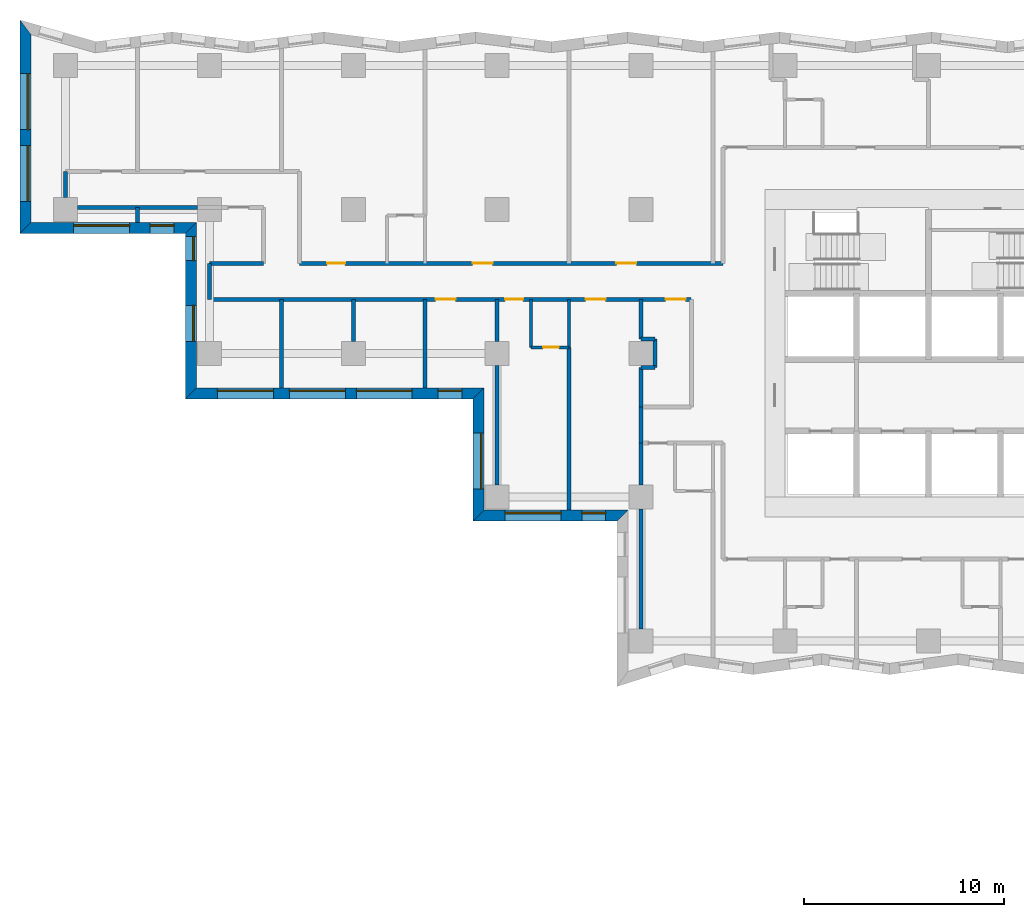
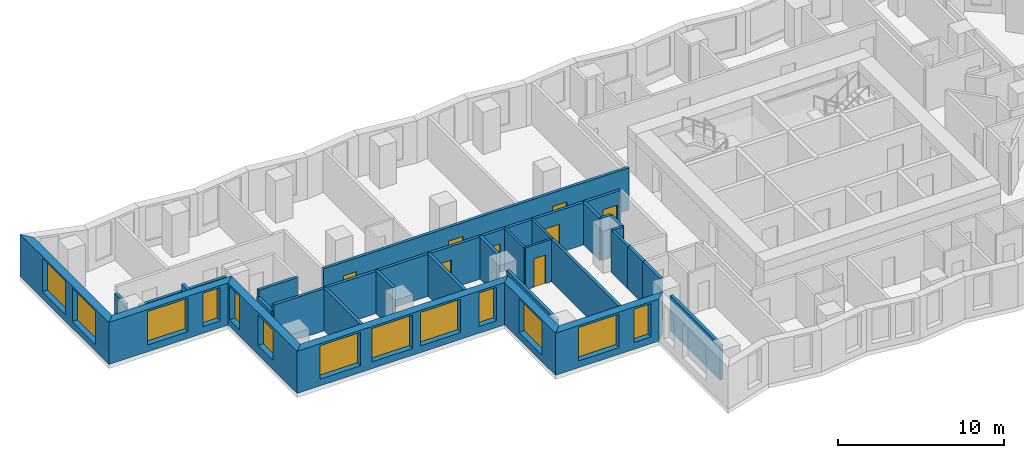
# One storey, part 3 of 12: 30 walls, 13 windows, 8 doors, 21 openings.
"""IFC4 building model written with IfcOpenShell, lengths in metres."""

from ifc_helpers import new_model, si_unit, direction, frame, frame_2d, origin, place, context, subcontext, project, spatial, polyline, rectangle, outline, extrude, material, layer, layer_set, type_object, element, fill, save


model = new_model("IFC4")

# Units and contexts
model_context = context("Model", 3, precision=1e-05, world=origin(), true_north=direction((0.0, 1.0)))
body_context = subcontext(model_context, "Body", "Model", "MODEL_VIEW")
ifc_project = project(units=[si_unit("LENGTHUNIT", "METRE"), si_unit("AREAUNIT", "SQUARE_METRE"), si_unit("VOLUMEUNIT", "CUBIC_METRE"), si_unit("PLANEANGLEUNIT", "RADIAN"), si_unit("MASSUNIT", "GRAM", prefix="KILO")], contexts=[model_context])

# Site, building, storey
site_placement = place(None, origin())
site = spatial("IfcSite", under=ifc_project, at=site_placement, CompositionType="ELEMENT")
building_placement = place(site_placement, origin())
building = spatial("IfcBuilding", under=site, at=building_placement, Name="Windrow Commons", CompositionType="ELEMENT")
storey_placement = place(building_placement, frame((0.0, 0.0, 47.4)))
storey = spatial("IfcBuildingStorey", under=building, at=storey_placement, Name="L12", CompositionType="ELEMENT", Elevation=47.4)

# Wall, openings, windows
ifc_material_1 = material(Name="Brick masonry, red clay brick", Category="masonry")
ifc_layer_1 = layer(ifc_material_1, 0.55)
ifc_layer_set_1 = layer_set([ifc_layer_1], Name="Brick facade wall 550")
wall_type_1 = type_object("IfcWallType", Name="Brick facade wall 550", PredefinedType="SOLIDWALL", material=ifc_layer_set_1)
wall_1_placement = place(storey_placement, frame((19.593, 73.9178, 0.0), z_axis=(0.0, 0.0, 1.0), x_axis=(0.0, -1.0, 0.0)))
wall_1 = element("IfcWall", 1, at=wall_1_placement, inside=storey, type_object=wall_type_1, Name="Brick facade wall L12 39", PredefinedType="SOLIDWALL", context=body_context, shape_type="SweptSolid", body=[
    extrude(outline(polyline([(-0.3642, -0.275), (10.3178, -0.275), (9.7678, 0.275), (0.3642, 0.275), (-0.3642, -0.275)])), origin(), (0.0, 0.0, 1.0), 3.1),
])
opening_1_placement = place(wall_1_placement, frame((2.3178, 0.0, 0.5)))
opening_1 = element("IfcOpeningElement", 2, at=opening_1_placement, cuts=wall_1, Name="Opening W1T", PredefinedType="OPENING", context=body_context, shape_type="SweptSolid", body=[
    extrude(rectangle(XDim=2.8, YDim=2.45, at=frame_2d((1.4, 1.225))), frame((0.0, 0.285, 0.0), z_axis=(0.0, -1.0, 0.0), x_axis=(1.0, 0.0, 0.0)), (0.0, 0.0, 1.0), 0.57),
])
opening_2_placement = place(wall_1_placement, frame((5.9178, 0.0, 0.5)))
opening_2 = element("IfcOpeningElement", 3, at=opening_2_placement, cuts=wall_1, Name="Opening W1T", PredefinedType="OPENING", context=body_context, shape_type="SweptSolid", body=[
    extrude(rectangle(XDim=2.8, YDim=2.45, at=frame_2d((1.4, 1.225))), frame((0.0, 0.285, 0.0), z_axis=(0.0, -1.0, 0.0), x_axis=(1.0, 0.0, 0.0)), (0.0, 0.0, 1.0), 0.57),
])
ifc_material_2 = material(Name="Clear float glass in anodised aluminium frame", Category="aluminium")
window_type_1 = type_object("IfcWindowType", Name="Window W1T bedroom 2800x2450", PartitioningType="SINGLE_PANEL", PredefinedType="WINDOW", material=ifc_material_2)
window_1_placement = place(opening_1_placement, origin())
window_1 = element("IfcWindow", 4, at=window_1_placement, inside=storey, type_object=window_type_1, Name="Window L12 39.1", OverallHeight=2.45, OverallWidth=2.8, PartitioningType="SINGLE_PANEL", PredefinedType="WINDOW", context=body_context, shape_type="SweptSolid", body=[
    extrude(rectangle(XDim=2.8, YDim=2.45, at=frame_2d((1.4, 1.225))), frame((0.0, 0.155, 0.0), z_axis=(0.0, -1.0, 0.0), x_axis=(1.0, 0.0, 0.0)), (0.0, 0.0, 1.0), 0.06),
])
fill(opening_1, window_1)
window_2_placement = place(opening_2_placement, origin())
window_2 = element("IfcWindow", 5, at=window_2_placement, inside=storey, type_object=window_type_1, Name="Window L12 39.2", OverallHeight=2.45, OverallWidth=2.8, PartitioningType="SINGLE_PANEL", PredefinedType="WINDOW", context=body_context, shape_type="SweptSolid", body=[
    extrude(rectangle(XDim=2.8, YDim=2.45, at=frame_2d((1.4, 1.225))), frame((0.0, 0.155, 0.0), z_axis=(0.0, -1.0, 0.0), x_axis=(1.0, 0.0, 0.0)), (0.0, 0.0, 1.0), 0.06),
])
fill(opening_2, window_2)

wall_2_placement = place(storey_placement, frame((19.593, 63.875, 0.0), z_axis=(0.0, 0.0, 1.0), x_axis=(1.0, 0.0, 0.0)))
wall_2 = element("IfcWall", 6, at=wall_2_placement, inside=storey, type_object=wall_type_1, Name="Brick facade wall L12 40", PredefinedType="SOLIDWALL", context=body_context, shape_type="SweptSolid", body=[
    extrude(outline(polyline([(-0.275, -0.275), (8.007, -0.275), (8.557, 0.275), (0.275, 0.275), (-0.275, -0.275)])), origin(), (0.0, 0.0, 1.0), 3.1),
])
opening_3_placement = place(wall_2_placement, frame((2.407, 0.0, 0.5)))
opening_3 = element("IfcOpeningElement", 7, at=opening_3_placement, cuts=wall_2, Name="Opening W1T", PredefinedType="OPENING", context=body_context, shape_type="SweptSolid", body=[
    extrude(rectangle(XDim=2.8, YDim=2.45, at=frame_2d((1.4, 1.225))), frame((0.0, 0.285, 0.0), z_axis=(0.0, -1.0, 0.0), x_axis=(1.0, 0.0, 0.0)), (0.0, 0.0, 1.0), 0.57),
])
opening_4_placement = place(wall_2_placement, frame((6.2445, 0.0, 0.5)))
opening_4 = element("IfcOpeningElement", 8, at=opening_4_placement, cuts=wall_2, Name="Opening W7D", PredefinedType="OPENING", context=body_context, shape_type="SweptSolid", body=[
    extrude(rectangle(XDim=1.2, YDim=2.45, at=frame_2d((0.6, 1.225))), frame((0.0, 0.285, 0.0), z_axis=(0.0, -1.0, 0.0), x_axis=(1.0, 0.0, 0.0)), (0.0, 0.0, 1.0), 0.57),
])
window_3_placement = place(opening_3_placement, origin())
window_3 = element("IfcWindow", 9, at=window_3_placement, inside=storey, type_object=window_type_1, Name="Window L12 40.1", OverallHeight=2.45, OverallWidth=2.8, PartitioningType="SINGLE_PANEL", PredefinedType="WINDOW", context=body_context, shape_type="SweptSolid", body=[
    extrude(rectangle(XDim=2.8, YDim=2.45, at=frame_2d((1.4, 1.225))), frame((0.0, 0.155, 0.0), z_axis=(0.0, -1.0, 0.0), x_axis=(1.0, 0.0, 0.0)), (0.0, 0.0, 1.0), 0.06),
])
fill(opening_3, window_3)
ifc_material_3 = material(Name="Clear float glass in anodised aluminium frame", Category="aluminium")
window_type_2 = type_object("IfcWindowType", Name="Window W7 notch 1200x2450", PartitioningType="SINGLE_PANEL", PredefinedType="WINDOW", material=ifc_material_3)
window_4_placement = place(opening_4_placement, origin())
window_4 = element("IfcWindow", 10, at=window_4_placement, inside=storey, type_object=window_type_2, Name="Window L12 40.2", OverallHeight=2.45, OverallWidth=1.2, PartitioningType="SINGLE_PANEL", PredefinedType="WINDOW", context=body_context, shape_type="SweptSolid", body=[
    extrude(rectangle(XDim=1.2, YDim=2.45, at=frame_2d((0.6, 1.225))), frame((0.0, 0.155, 0.0), z_axis=(0.0, -1.0, 0.0), x_axis=(1.0, 0.0, 0.0)), (0.0, 0.0, 1.0), 0.06),
])
fill(opening_4, window_4)

wall_3_placement = place(storey_placement, frame((27.875, 63.875, 0.0), z_axis=(0.0, 0.0, 1.0), x_axis=(0.0, -1.0, 0.0)))
wall_3 = element("IfcWall", 11, at=wall_3_placement, inside=storey, type_object=wall_type_1, Name="Brick facade wall L12 41", PredefinedType="SOLIDWALL", context=body_context, shape_type="SweptSolid", body=[
    extrude(outline(polyline([(0.275, -0.275), (8.557, -0.275), (8.007, 0.275), (-0.275, 0.275), (0.275, -0.275)])), origin(), (0.0, 0.0, 1.0), 3.1),
])
opening_5_placement = place(wall_3_placement, frame((0.4375, 0.0, 0.5)))
opening_5 = element("IfcOpeningElement", 12, at=opening_5_placement, cuts=wall_3, Name="Opening W7D", PredefinedType="OPENING", context=body_context, shape_type="SweptSolid", body=[
    extrude(rectangle(XDim=1.2, YDim=2.45, at=frame_2d((0.6, 1.225))), frame((0.0, 0.285, 0.0), z_axis=(0.0, -1.0, 0.0), x_axis=(1.0, 0.0, 0.0)), (0.0, 0.0, 1.0), 0.57),
])
opening_6_placement = place(wall_3_placement, frame((3.875, 0.0, 0.7)))
opening_6 = element("IfcOpeningElement", 13, at=opening_6_placement, cuts=wall_3, Name="Opening W6", PredefinedType="OPENING", context=body_context, shape_type="SweptSolid", body=[
    extrude(rectangle(XDim=1.8, YDim=2.2, at=frame_2d((0.9, 1.1))), frame((0.0, 0.285, 0.0), z_axis=(0.0, -1.0, 0.0), x_axis=(1.0, 0.0, 0.0)), (0.0, 0.0, 1.0), 0.57),
])
ifc_material_4 = material(Name="Clear float glass in anodised aluminium frame", Category="aluminium")
window_type_3 = type_object("IfcWindowType", Name="Window W6 crown 1800x2200", PartitioningType="SINGLE_PANEL", PredefinedType="WINDOW", material=ifc_material_4)
window_5_placement = place(opening_6_placement, origin())
window_5 = element("IfcWindow", 14, at=window_5_placement, inside=storey, type_object=window_type_3, Name="Window L12 41.1A", OverallHeight=2.2, OverallWidth=1.8, PartitioningType="SINGLE_PANEL", PredefinedType="WINDOW", context=body_context, shape_type="SweptSolid", body=[
    extrude(rectangle(XDim=1.8, YDim=2.2, at=frame_2d((0.9, 1.1))), frame((0.0, 0.155, 0.0), z_axis=(0.0, -1.0, 0.0), x_axis=(1.0, 0.0, 0.0)), (0.0, 0.0, 1.0), 0.06),
])
fill(opening_6, window_5)
window_6_placement = place(opening_5_placement, origin())
window_6 = element("IfcWindow", 15, at=window_6_placement, inside=storey, type_object=window_type_2, Name="Window L12 41.2", OverallHeight=2.45, OverallWidth=1.2, PartitioningType="SINGLE_PANEL", PredefinedType="WINDOW", context=body_context, shape_type="SweptSolid", body=[
    extrude(rectangle(XDim=1.2, YDim=2.45, at=frame_2d((0.6, 1.225))), frame((0.0, 0.155, 0.0), z_axis=(0.0, -1.0, 0.0), x_axis=(1.0, 0.0, 0.0)), (0.0, 0.0, 1.0), 0.06),
])
fill(opening_5, window_6)

wall_4_placement = place(storey_placement, frame((27.875, 55.593, 0.0), z_axis=(0.0, 0.0, 1.0), x_axis=(1.0, 0.0, 0.0)))
wall_4 = element("IfcWall", 16, at=wall_4_placement, inside=storey, type_object=wall_type_1, Name="Brick facade wall L12 42", PredefinedType="SOLIDWALL", context=body_context, shape_type="SweptSolid", body=[
    extrude(outline(polyline([(-0.275, -0.275), (14.125, -0.275), (14.675, 0.275), (0.275, 0.275), (-0.275, -0.275)])), origin(), (0.0, 0.0, 1.0), 3.1),
])
opening_7_placement = place(wall_4_placement, frame((1.325, 0.0, 0.5)))
opening_7 = element("IfcOpeningElement", 17, at=opening_7_placement, cuts=wall_4, Name="Opening W1T", PredefinedType="OPENING", context=body_context, shape_type="SweptSolid", body=[
    extrude(rectangle(XDim=2.8, YDim=2.45, at=frame_2d((1.4, 1.225))), frame((0.0, 0.285, 0.0), z_axis=(0.0, -1.0, 0.0), x_axis=(1.0, 0.0, 0.0)), (0.0, 0.0, 1.0), 0.57),
])
opening_8_placement = place(wall_4_placement, frame((4.925, 0.0, 0.5)))
opening_8 = element("IfcOpeningElement", 18, at=opening_8_placement, cuts=wall_4, Name="Opening W1T", PredefinedType="OPENING", context=body_context, shape_type="SweptSolid", body=[
    extrude(rectangle(XDim=2.8, YDim=2.45, at=frame_2d((1.4, 1.225))), frame((0.0, 0.285, 0.0), z_axis=(0.0, -1.0, 0.0), x_axis=(1.0, 0.0, 0.0)), (0.0, 0.0, 1.0), 0.57),
])
opening_9_placement = place(wall_4_placement, frame((8.275, 0.0, 0.5)))
opening_9 = element("IfcOpeningElement", 19, at=opening_9_placement, cuts=wall_4, Name="Opening W1T", PredefinedType="OPENING", context=body_context, shape_type="SweptSolid", body=[
    extrude(rectangle(XDim=2.8, YDim=2.45, at=frame_2d((1.4, 1.225))), frame((0.0, 0.285, 0.0), z_axis=(0.0, -1.0, 0.0), x_axis=(1.0, 0.0, 0.0)), (0.0, 0.0, 1.0), 0.57),
])
opening_10_placement = place(wall_4_placement, frame((12.3625, 0.0, 0.5)))
opening_10 = element("IfcOpeningElement", 20, at=opening_10_placement, cuts=wall_4, Name="Opening W7D", PredefinedType="OPENING", context=body_context, shape_type="SweptSolid", body=[
    extrude(rectangle(XDim=1.2, YDim=2.45, at=frame_2d((0.6, 1.225))), frame((0.0, 0.285, 0.0), z_axis=(0.0, -1.0, 0.0), x_axis=(1.0, 0.0, 0.0)), (0.0, 0.0, 1.0), 0.57),
])
window_7_placement = place(opening_7_placement, origin())
window_7 = element("IfcWindow", 21, at=window_7_placement, inside=storey, type_object=window_type_1, Name="Window L12 42.1", OverallHeight=2.45, OverallWidth=2.8, PartitioningType="SINGLE_PANEL", PredefinedType="WINDOW", context=body_context, shape_type="SweptSolid", body=[
    extrude(rectangle(XDim=2.8, YDim=2.45, at=frame_2d((1.4, 1.225))), frame((0.0, 0.155, 0.0), z_axis=(0.0, -1.0, 0.0), x_axis=(1.0, 0.0, 0.0)), (0.0, 0.0, 1.0), 0.06),
])
fill(opening_7, window_7)
window_8_placement = place(opening_8_placement, origin())
window_8 = element("IfcWindow", 22, at=window_8_placement, inside=storey, type_object=window_type_1, Name="Window L12 42.2", OverallHeight=2.45, OverallWidth=2.8, PartitioningType="SINGLE_PANEL", PredefinedType="WINDOW", context=body_context, shape_type="SweptSolid", body=[
    extrude(rectangle(XDim=2.8, YDim=2.45, at=frame_2d((1.4, 1.225))), frame((0.0, 0.155, 0.0), z_axis=(0.0, -1.0, 0.0), x_axis=(1.0, 0.0, 0.0)), (0.0, 0.0, 1.0), 0.06),
])
fill(opening_8, window_8)
window_9_placement = place(opening_9_placement, origin())
window_9 = element("IfcWindow", 23, at=window_9_placement, inside=storey, type_object=window_type_1, Name="Window L12 42.3", OverallHeight=2.45, OverallWidth=2.8, PartitioningType="SINGLE_PANEL", PredefinedType="WINDOW", context=body_context, shape_type="SweptSolid", body=[
    extrude(rectangle(XDim=2.8, YDim=2.45, at=frame_2d((1.4, 1.225))), frame((0.0, 0.155, 0.0), z_axis=(0.0, -1.0, 0.0), x_axis=(1.0, 0.0, 0.0)), (0.0, 0.0, 1.0), 0.06),
])
fill(opening_9, window_9)
window_10_placement = place(opening_10_placement, origin())
window_10 = element("IfcWindow", 24, at=window_10_placement, inside=storey, type_object=window_type_2, Name="Window L12 42.4", OverallHeight=2.45, OverallWidth=1.2, PartitioningType="SINGLE_PANEL", PredefinedType="WINDOW", context=body_context, shape_type="SweptSolid", body=[
    extrude(rectangle(XDim=1.2, YDim=2.45, at=frame_2d((0.6, 1.225))), frame((0.0, 0.155, 0.0), z_axis=(0.0, -1.0, 0.0), x_axis=(1.0, 0.0, 0.0)), (0.0, 0.0, 1.0), 0.06),
])
fill(opening_10, window_10)

# Wall, opening, window
wall_5_placement = place(storey_placement, frame((42.275, 55.593, 0.0), z_axis=(0.0, 0.0, 1.0), x_axis=(0.0, -1.0, 0.0)))
wall_5 = element("IfcWall", 25, at=wall_5_placement, inside=storey, type_object=wall_type_1, Name="Brick facade wall L12 43", PredefinedType="SOLIDWALL", context=body_context, shape_type="SweptSolid", body=[
    extrude(outline(polyline([(0.275, -0.275), (6.393, -0.275), (5.843, 0.275), (-0.275, 0.275), (0.275, -0.275)])), origin(), (0.0, 0.0, 1.0), 3.1),
])
opening_11_placement = place(wall_5_placement, frame((1.993, 0.0, 0.5)))
opening_11 = element("IfcOpeningElement", 26, at=opening_11_placement, cuts=wall_5, Name="Opening W1T", PredefinedType="OPENING", context=body_context, shape_type="SweptSolid", body=[
    extrude(rectangle(XDim=2.8, YDim=2.45, at=frame_2d((1.4, 1.225))), frame((0.0, 0.285, 0.0), z_axis=(0.0, -1.0, 0.0), x_axis=(1.0, 0.0, 0.0)), (0.0, 0.0, 1.0), 0.57),
])
window_11_placement = place(opening_11_placement, origin())
window_11 = element("IfcWindow", 27, at=window_11_placement, inside=storey, type_object=window_type_1, Name="Window L12 43.1", OverallHeight=2.45, OverallWidth=2.8, PartitioningType="SINGLE_PANEL", PredefinedType="WINDOW", context=body_context, shape_type="SweptSolid", body=[
    extrude(rectangle(XDim=2.8, YDim=2.45, at=frame_2d((1.4, 1.225))), frame((0.0, 0.155, 0.0), z_axis=(0.0, -1.0, 0.0), x_axis=(1.0, 0.0, 0.0)), (0.0, 0.0, 1.0), 0.06),
])
fill(opening_11, window_11)

# Wall, openings, windows
wall_6_placement = place(storey_placement, frame((42.275, 49.475, 0.0), z_axis=(0.0, 0.0, 1.0), x_axis=(1.0, 0.0, 0.0)))
wall_6 = element("IfcWall", 28, at=wall_6_placement, inside=storey, type_object=wall_type_1, Name="Brick facade wall L12 44", PredefinedType="SOLIDWALL", context=body_context, shape_type="SweptSolid", body=[
    extrude(outline(polyline([(-0.275, -0.275), (6.925, -0.275), (7.475, 0.275), (0.275, 0.275), (-0.275, -0.275)])), origin(), (0.0, 0.0, 1.0), 3.1),
])
opening_12_placement = place(wall_6_placement, frame((1.325, 0.0, 0.5)))
opening_12 = element("IfcOpeningElement", 29, at=opening_12_placement, cuts=wall_6, Name="Opening W1T", PredefinedType="OPENING", context=body_context, shape_type="SweptSolid", body=[
    extrude(rectangle(XDim=2.8, YDim=2.45, at=frame_2d((1.4, 1.225))), frame((0.0, 0.285, 0.0), z_axis=(0.0, -1.0, 0.0), x_axis=(1.0, 0.0, 0.0)), (0.0, 0.0, 1.0), 0.57),
])
opening_13_placement = place(wall_6_placement, frame((5.1625, 0.0, 0.5)))
opening_13 = element("IfcOpeningElement", 30, at=opening_13_placement, cuts=wall_6, Name="Opening W7D", PredefinedType="OPENING", context=body_context, shape_type="SweptSolid", body=[
    extrude(rectangle(XDim=1.2, YDim=2.45, at=frame_2d((0.6, 1.225))), frame((0.0, 0.285, 0.0), z_axis=(0.0, -1.0, 0.0), x_axis=(1.0, 0.0, 0.0)), (0.0, 0.0, 1.0), 0.57),
])
window_12_placement = place(opening_12_placement, origin())
window_12 = element("IfcWindow", 31, at=window_12_placement, inside=storey, type_object=window_type_1, Name="Window L12 44.1", OverallHeight=2.45, OverallWidth=2.8, PartitioningType="SINGLE_PANEL", PredefinedType="WINDOW", context=body_context, shape_type="SweptSolid", body=[
    extrude(rectangle(XDim=2.8, YDim=2.45, at=frame_2d((1.4, 1.225))), frame((0.0, 0.155, 0.0), z_axis=(0.0, -1.0, 0.0), x_axis=(1.0, 0.0, 0.0)), (0.0, 0.0, 1.0), 0.06),
])
fill(opening_12, window_12)
window_13_placement = place(opening_13_placement, origin())
window_13 = element("IfcWindow", 32, at=window_13_placement, inside=storey, type_object=window_type_2, Name="Window L12 44.2", OverallHeight=2.45, OverallWidth=1.2, PartitioningType="SINGLE_PANEL", PredefinedType="WINDOW", context=body_context, shape_type="SweptSolid", body=[
    extrude(rectangle(XDim=1.2, YDim=2.45, at=frame_2d((0.6, 1.225))), frame((0.0, 0.155, 0.0), z_axis=(0.0, -1.0, 0.0), x_axis=(1.0, 0.0, 0.0)), (0.0, 0.0, 1.0), 0.06),
])
fill(opening_13, window_13)

# Wall, openings, doors
ifc_material_5 = material(Name="Blockwork partition", Category="masonry")
ifc_layer_2 = layer(ifc_material_5, 0.2)
ifc_layer_set_2 = layer_set([ifc_layer_2], Name="IW-CORRIDOR-200")
wall_type_2 = type_object("IfcWallType", Name="IW-CORRIDOR-200", PredefinedType="PARTITIONING", material=ifc_layer_set_2)
wall_7_placement = place(storey_placement, frame((28.802, 60.3, 0.0), z_axis=(0.0, 0.0, 1.0), x_axis=(1.0, 0.0, 0.0)))
wall_7 = element("IfcWall", 33, at=wall_7_placement, inside=storey, type_object=wall_type_2, Name="W-L12-W001", PredefinedType="PARTITIONING", context=body_context, shape_type="SweptSolid", body=[
    extrude(rectangle(XDim=24.108, YDim=0.2, at=frame_2d((12.054, 0.0))), origin(), (0.0, 0.0, 1.0), 3.1),
])
opening_14_placement = place(wall_7_placement, frame((11.323, 0.0, 0.0)))
opening_14 = element("IfcOpeningElement", 34, at=opening_14_placement, cuts=wall_7, Name="Opening D310F", PredefinedType="OPENING", context=body_context, shape_type="SweptSolid", body=[
    extrude(rectangle(XDim=1.0, YDim=2.1, at=frame_2d((0.5, 1.05))), frame((0.0, 0.11, 0.0), z_axis=(0.0, -1.0, 0.0), x_axis=(1.0, 0.0, 0.0)), (0.0, 0.0, 1.0), 0.22),
])
opening_15_placement = place(wall_7_placement, frame((14.798, 0.0, 0.0)))
opening_15 = element("IfcOpeningElement", 35, at=opening_15_placement, cuts=wall_7, Name="Opening D109S", PredefinedType="OPENING", context=body_context, shape_type="SweptSolid", body=[
    extrude(rectangle(XDim=0.9, YDim=2.1, at=frame_2d((0.45, 1.05))), frame((0.0, 0.11, 0.0), z_axis=(0.0, -1.0, 0.0), x_axis=(1.0, 0.0, 0.0)), (0.0, 0.0, 1.0), 0.22),
])
opening_16_placement = place(wall_7_placement, frame((18.833, 0.0, 0.0)))
opening_16 = element("IfcOpeningElement", 36, at=opening_16_placement, cuts=wall_7, Name="Opening D310F", PredefinedType="OPENING", context=body_context, shape_type="SweptSolid", body=[
    extrude(rectangle(XDim=1.0, YDim=2.1, at=frame_2d((0.5, 1.05))), frame((0.0, 0.11, 0.0), z_axis=(0.0, -1.0, 0.0), x_axis=(1.0, 0.0, 0.0)), (0.0, 0.0, 1.0), 0.22),
])
opening_17_placement = place(wall_7_placement, frame((22.8387, 0.0, 0.0)))
opening_17 = element("IfcOpeningElement", 37, at=opening_17_placement, cuts=wall_7, Name="Opening D410F", PredefinedType="OPENING", context=body_context, shape_type="SweptSolid", body=[
    extrude(rectangle(XDim=1.0, YDim=2.1, at=frame_2d((0.5, 1.05))), frame((0.0, 0.11, 0.0), z_axis=(0.0, -1.0, 0.0), x_axis=(1.0, 0.0, 0.0)), (0.0, 0.0, 1.0), 0.22),
])
ifc_material_6 = material(Name="Timber door leaf", Category="wood")
door_type_1 = type_object("IfcDoorType", Name="DT-AMENITY-1000", OperationType="SINGLE_SWING_LEFT", PredefinedType="DOOR", material=ifc_material_6)
door_1_placement = place(opening_14_placement, origin())
door_1 = element("IfcDoor", 38, at=door_1_placement, inside=storey, type_object=door_type_1, Name="D-L12-D014", OperationType="SINGLE_SWING_RIGHT", OverallHeight=2.1, OverallWidth=1.0, PredefinedType="DOOR", context=body_context, shape_type="SweptSolid", body=[
    extrude(rectangle(XDim=1.0, YDim=2.1, at=frame_2d((0.5, 1.05))), frame((0.0, 0.025, 0.0), z_axis=(0.0, -1.0, 0.0), x_axis=(1.0, 0.0, 0.0)), (0.0, 0.0, 1.0), 0.05),
])
fill(opening_14, door_1)
door_2_placement = place(opening_16_placement, origin())
door_2 = element("IfcDoor", 39, at=door_2_placement, inside=storey, type_object=door_type_1, Name="D-L12-D017", OperationType="SINGLE_SWING_RIGHT", OverallHeight=2.1, OverallWidth=1.0, PredefinedType="DOOR", context=body_context, shape_type="SweptSolid", body=[
    extrude(rectangle(XDim=1.0, YDim=2.1, at=frame_2d((0.5, 1.05))), frame((0.0, 0.025, 0.0), z_axis=(0.0, -1.0, 0.0), x_axis=(1.0, 0.0, 0.0)), (0.0, 0.0, 1.0), 0.05),
])
fill(opening_16, door_2)
ifc_material_7 = material(Name="Timber door leaf", Category="wood")
door_type_2 = type_object("IfcDoorType", Name="DT-BEDROOM-900", OperationType="SINGLE_SWING_LEFT", PredefinedType="DOOR", material=ifc_material_7)
door_3_placement = place(opening_15_placement, origin())
door_3 = element("IfcDoor", 40, at=door_3_placement, inside=storey, type_object=door_type_2, Name="D-L12-D015", OperationType="SINGLE_SWING_LEFT", OverallHeight=2.1, OverallWidth=0.9, PredefinedType="DOOR", context=body_context, shape_type="SweptSolid", body=[
    extrude(rectangle(XDim=0.9, YDim=2.1, at=frame_2d((0.45, 1.05))), frame((0.0, 0.025, 0.0), z_axis=(0.0, -1.0, 0.0), x_axis=(1.0, 0.0, 0.0)), (0.0, 0.0, 1.0), 0.05),
])
fill(opening_15, door_3)
ifc_material_8 = material(Name="Timber door leaf", Category="wood")
door_type_3 = type_object("IfcDoorType", Name="DT-SERVICE-1000", OperationType="SINGLE_SWING_LEFT", PredefinedType="DOOR", material=ifc_material_8)
door_4_placement = place(opening_17_placement, origin())
door_4 = element("IfcDoor", 41, at=door_4_placement, inside=storey, type_object=door_type_3, Name="D-L12-D018", OperationType="SINGLE_SWING_LEFT", OverallHeight=2.1, OverallWidth=1.0, PredefinedType="DOOR", context=body_context, shape_type="SweptSolid", body=[
    extrude(rectangle(XDim=1.0, YDim=2.1, at=frame_2d((0.5, 1.05))), frame((0.0, 0.025, 0.0), z_axis=(0.0, -1.0, 0.0), x_axis=(1.0, 0.0, 0.0)), (0.0, 0.0, 1.0), 0.05),
])
fill(opening_17, door_4)

wall_8_placement = place(storey_placement, frame((33.3, 62.1, 0.0), z_axis=(0.0, 0.0, 1.0), x_axis=(1.0, 0.0, 0.0)))
wall_8 = element("IfcWall", 42, at=wall_8_placement, inside=storey, type_object=wall_type_2, Name="W-L12-W002", PredefinedType="PARTITIONING", context=body_context, shape_type="SweptSolid", body=[
    extrude(rectangle(XDim=21.2, YDim=0.2, at=frame_2d((10.6, 0.0))), origin(), (0.0, 0.0, 1.0), 3.1),
])
opening_18_placement = place(wall_8_placement, frame((1.3947, 0.0, 0.0)))
opening_18 = element("IfcOpeningElement", 43, at=opening_18_placement, cuts=wall_8, Name="Opening D109F", PredefinedType="OPENING", context=body_context, shape_type="SweptSolid", body=[
    extrude(rectangle(XDim=0.9, YDim=2.1, at=frame_2d((0.45, 1.05))), frame((0.0, 0.11, 0.0), z_axis=(0.0, -1.0, 0.0), x_axis=(1.0, 0.0, 0.0)), (0.0, 0.0, 1.0), 0.22),
])
opening_19_placement = place(wall_8_placement, frame((8.6737, 0.0, 0.0)))
opening_19 = element("IfcOpeningElement", 44, at=opening_19_placement, cuts=wall_8, Name="Opening D310F", PredefinedType="OPENING", context=body_context, shape_type="SweptSolid", body=[
    extrude(rectangle(XDim=1.0, YDim=2.1, at=frame_2d((0.5, 1.05))), frame((0.0, 0.11, 0.0), z_axis=(0.0, -1.0, 0.0), x_axis=(1.0, 0.0, 0.0)), (0.0, 0.0, 1.0), 0.22),
])
opening_20_placement = place(wall_8_placement, frame((15.8737, 0.0, 0.0)))
opening_20 = element("IfcOpeningElement", 45, at=opening_20_placement, cuts=wall_8, Name="Opening D310F", PredefinedType="OPENING", context=body_context, shape_type="SweptSolid", body=[
    extrude(rectangle(XDim=1.0, YDim=2.1, at=frame_2d((0.5, 1.05))), frame((0.0, 0.11, 0.0), z_axis=(0.0, -1.0, 0.0), x_axis=(1.0, 0.0, 0.0)), (0.0, 0.0, 1.0), 0.22),
])
door_5_placement = place(opening_19_placement, origin())
door_5 = element("IfcDoor", 46, at=door_5_placement, inside=storey, type_object=door_type_1, Name="D-L12-D008", OperationType="SINGLE_SWING_LEFT", OverallHeight=2.1, OverallWidth=1.0, PredefinedType="DOOR", context=body_context, shape_type="SweptSolid", body=[
    extrude(rectangle(XDim=1.0, YDim=2.1, at=frame_2d((0.5, 1.05))), frame((0.0, 0.025, 0.0), z_axis=(0.0, -1.0, 0.0), x_axis=(1.0, 0.0, 0.0)), (0.0, 0.0, 1.0), 0.05),
])
fill(opening_19, door_5)
door_6_placement = place(opening_20_placement, origin())
door_6 = element("IfcDoor", 47, at=door_6_placement, inside=storey, type_object=door_type_1, Name="D-L12-D009", OperationType="SINGLE_SWING_LEFT", OverallHeight=2.1, OverallWidth=1.0, PredefinedType="DOOR", context=body_context, shape_type="SweptSolid", body=[
    extrude(rectangle(XDim=1.0, YDim=2.1, at=frame_2d((0.5, 1.05))), frame((0.0, 0.025, 0.0), z_axis=(0.0, -1.0, 0.0), x_axis=(1.0, 0.0, 0.0)), (0.0, 0.0, 1.0), 0.05),
])
fill(opening_20, door_6)
door_7_placement = place(opening_18_placement, origin())
door_7 = element("IfcDoor", 48, at=door_7_placement, inside=storey, type_object=door_type_2, Name="D-L12-D006", OperationType="SINGLE_SWING_LEFT", OverallHeight=2.1, OverallWidth=0.9, PredefinedType="DOOR", context=body_context, shape_type="SweptSolid", body=[
    extrude(rectangle(XDim=0.9, YDim=2.1, at=frame_2d((0.45, 1.05))), frame((0.0, 0.025, 0.0), z_axis=(0.0, -1.0, 0.0), x_axis=(1.0, 0.0, 0.0)), (0.0, 0.0, 1.0), 0.05),
])
fill(opening_18, door_7)

# Walls
wall_9_placement = place(storey_placement, frame((22.2, 64.9, 0.0), z_axis=(0.0, 0.0, 1.0), x_axis=(1.0, 0.0, 0.0)))
element("IfcWall", 49, at=wall_9_placement, inside=storey, type_object=wall_type_2, Name="W-L12-W028", PredefinedType="PARTITIONING", context=body_context, shape_type="SweptSolid", body=[
    extrude(rectangle(XDim=6.0, YDim=0.2, at=frame_2d((3.0, 0.0))), origin(), (0.0, 0.0, 1.0), 2.6),
])
wall_10_placement = place(storey_placement, frame((28.802, 62.1, 0.0), z_axis=(0.0, 0.0, 1.0), x_axis=(1.0, 0.0, 0.0)))
element("IfcWall", 50, at=wall_10_placement, inside=storey, type_object=wall_type_2, Name="W-L12-W059", PredefinedType="PARTITIONING", context=body_context, shape_type="SweptSolid", body=[
    extrude(rectangle(XDim=2.698, YDim=0.2, at=frame_2d((1.349, 0.0))), origin(), (0.0, 0.0, 1.0), 3.1),
])
wall_11_placement = place(storey_placement, frame((50.4, 53.1, 0.0), z_axis=(0.0, 0.0, 1.0), x_axis=(0.0, 1.0, 0.0)))
element("IfcWall", 51, at=wall_11_placement, inside=storey, type_object=wall_type_2, Name="W-L12-W128", PredefinedType="PARTITIONING", context=body_context, shape_type="SweptSolid", body=[
    extrude(rectangle(XDim=1.8, YDim=0.2, at=frame_2d((0.9, 0.0))), origin(), (0.0, 0.0, 1.0), 3.1),
])
wall_12_placement = place(storey_placement, frame((28.8, 60.302, 0.0), z_axis=(0.0, 0.0, 1.0), x_axis=(0.0, 1.0, 0.0)))
element("IfcWall", 52, at=wall_12_placement, inside=storey, type_object=wall_type_2, Name="W-L12-W131", PredefinedType="PARTITIONING", context=body_context, shape_type="SweptSolid", body=[
    extrude(rectangle(XDim=1.798, YDim=0.2, at=frame_2d((0.899, 0.0))), origin(), (0.0, 0.0, 1.0), 2.6),
])
wall_13_placement = place(storey_placement, frame((21.6, 65.4, 0.0), z_axis=(0.0, 0.0, 1.0), x_axis=(0.0, 1.0, 0.0)))
element("IfcWall", 53, at=wall_13_placement, inside=storey, type_object=wall_type_2, Name="W-L12-W141", PredefinedType="PARTITIONING", context=body_context, shape_type="SweptSolid", body=[
    extrude(rectangle(XDim=1.3, YDim=0.2, at=frame_2d((0.65, 0.0))), origin(), (0.0, 0.0, 1.0), 2.6),
])
ifc_material_9 = material(Name="Blockwork partition", Category="masonry")
ifc_layer_3 = layer(ifc_material_9, 0.15)
ifc_layer_set_3 = layer_set([ifc_layer_3], Name="IW-ENSUITE-150")
wall_type_3 = type_object("IfcWallType", Name="IW-ENSUITE-150", PredefinedType="PARTITIONING", material=ifc_layer_set_3)
for number, where, z_axis, x_axis, name in (
    (54, (44.9, 57.9, 0.0), (0.0, 0.0, 1.0), (0.0, 1.0, 0.0), "W-L12-W070"),
    (55, (46.8, 57.9, 0.0), (0.0, 0.0, 1.0), (0.0, 1.0, 0.0), "W-L12-W071"),
):
    element("IfcWall", number, at=place(storey_placement, frame(where, z_axis=z_axis, x_axis=x_axis)), inside=storey, type_object=wall_type_3, Name=name, PredefinedType="PARTITIONING", context=body_context, shape_type="SweptSolid", body=[
        extrude(rectangle(XDim=2.4, YDim=0.15, at=frame_2d((1.2, 0.0))), origin(), (0.0, 0.0, 1.0), 3.1),
    ])

# Wall, opening, door
wall_14_placement = place(storey_placement, frame((44.9, 57.9, 0.0), z_axis=(0.0, 0.0, 1.0), x_axis=(1.0, 0.0, 0.0)))
wall_14 = element("IfcWall", 56, at=wall_14_placement, inside=storey, type_object=wall_type_3, Name="W-L12-W112", PredefinedType="PARTITIONING", context=body_context, shape_type="SweptSolid", body=[
    extrude(rectangle(XDim=1.9, YDim=0.15, at=frame_2d((0.95, 0.0))), origin(), (0.0, 0.0, 1.0), 3.1),
])
opening_21_placement = place(wall_14_placement, frame((0.5979, 0.0, 0.0)))
opening_21 = element("IfcOpeningElement", 57, at=opening_21_placement, cuts=wall_14, Name="Opening D208N", PredefinedType="OPENING", context=body_context, shape_type="SweptSolid", body=[
    extrude(rectangle(XDim=0.8, YDim=2.1, at=frame_2d((0.4, 1.05))), frame((0.0, 0.085, 0.0), z_axis=(0.0, -1.0, 0.0), x_axis=(1.0, 0.0, 0.0)), (0.0, 0.0, 1.0), 0.17),
])
ifc_material_10 = material(Name="Timber door leaf", Category="wood")
door_type_4 = type_object("IfcDoorType", Name="DT-ENSUITE-800", OperationType="SINGLE_SWING_LEFT", PredefinedType="DOOR", material=ifc_material_10)
door_8_placement = place(opening_21_placement, origin())
door_8 = element("IfcDoor", 58, at=door_8_placement, inside=storey, type_object=door_type_4, Name="D-L12-D016", OperationType="SINGLE_SWING_RIGHT", OverallHeight=2.1, OverallWidth=0.8, PredefinedType="DOOR", context=body_context, shape_type="SweptSolid", body=[
    extrude(rectangle(XDim=0.8, YDim=2.1, at=frame_2d((0.4, 1.05))), frame((0.0, 0.025, 0.0), z_axis=(0.0, -1.0, 0.0), x_axis=(1.0, 0.0, 0.0)), (0.0, 0.0, 1.0), 0.05),
])
fill(opening_21, door_8)

# Walls
ifc_material_11 = material(Name="Blockwork partition", Category="masonry")
ifc_layer_4 = layer(ifc_material_11, 0.2)
ifc_layer_set_4 = layer_set([ifc_layer_4], Name="IW-PARTY-200")
wall_type_4 = type_object("IfcWallType", Name="IW-PARTY-200", PredefinedType="PARTITIONING", material=ifc_layer_set_4)
wall_15_placement = place(storey_placement, frame((46.8, 49.75, 0.0), z_axis=(0.0, 0.0, 1.0), x_axis=(0.0, 1.0, 0.0)))
element("IfcWall", 59, at=wall_15_placement, inside=storey, type_object=wall_type_4, Name="W-L12-W022", PredefinedType="PARTITIONING", context=body_context, shape_type="SweptSolid", body=[
    extrude(rectangle(XDim=8.15, YDim=0.2, at=frame_2d((4.075, 0.0))), origin(), (0.0, 0.0, 1.0), 3.1),
])
for number, where, z_axis, x_axis, name in (
    (60, (43.2, 51.0, 0.0), (0.0, 0.0, 1.0), (0.0, 1.0, 0.0), "W-L12-W029"),
    (61, (50.4, 43.8, 0.0), (0.0, 0.0, 1.0), (0.0, 1.0, 0.0), "W-L12-W030"),
):
    element("IfcWall", number, at=place(storey_placement, frame(where, z_axis=z_axis, x_axis=x_axis)), inside=storey, type_object=wall_type_4, Name=name, PredefinedType="PARTITIONING", context=body_context, shape_type="SweptSolid", body=[
        extrude(rectangle(XDim=6.0, YDim=0.2, at=frame_2d((3.0, 0.0))), origin(), (0.0, 0.0, 1.0), 2.6),
    ])
for number, where, z_axis, x_axis, name in (
    (62, (32.4, 55.868, 0.0), (0.0, 0.0, 1.0), (0.0, 1.0, 0.0), "W-L12-W046"),
    (63, (39.6, 55.868, 0.0), (0.0, 0.0, 1.0), (0.0, 1.0, 0.0), "W-L12-W047"),
):
    element("IfcWall", number, at=place(storey_placement, frame(where, z_axis=z_axis, x_axis=x_axis)), inside=storey, type_object=wall_type_4, Name=name, PredefinedType="PARTITIONING", context=body_context, shape_type="SweptSolid", body=[
        extrude(rectangle(XDim=4.432, YDim=0.2, at=frame_2d((2.216, 0.0))), origin(), (0.0, 0.0, 1.0), 3.1),
    ])
for number, where, z_axis, x_axis, name in (
    (64, (50.4, 51.0, 0.0), (0.0, 0.0, 1.0), (0.0, 1.0, 0.0), "W-L12-W100"),
    (65, (36.0, 58.2, 0.0), (0.0, 0.0, 1.0), (0.0, 1.0, 0.0), "W-L12-W102"),
    (66, (43.2, 58.2, 0.0), (0.0, 0.0, 1.0), (0.0, 1.0, 0.0), "W-L12-W103"),
):
    element("IfcWall", number, at=place(storey_placement, frame(where, z_axis=z_axis, x_axis=x_axis)), inside=storey, type_object=wall_type_4, Name=name, PredefinedType="PARTITIONING", context=body_context, shape_type="SweptSolid", body=[
        extrude(rectangle(XDim=2.1, YDim=0.2, at=frame_2d((1.05, 0.0))), origin(), (0.0, 0.0, 1.0), 3.1),
    ])
for number, where, z_axis, x_axis, name in (
    (67, (50.4, 54.9, 0.0), (0.0, 0.0, 1.0), (0.0, 1.0, 0.0), "W-L12-W105"),
    (68, (50.4, 58.306, 0.0), (0.0, 0.0, 1.0), (0.0, 1.0, 0.0), "W-L12-W106"),
):
    element("IfcWall", number, at=place(storey_placement, frame(where, z_axis=z_axis, x_axis=x_axis)), inside=storey, type_object=wall_type_4, Name=name, PredefinedType="PARTITIONING", context=body_context, shape_type="SweptSolid", body=[
        extrude(rectangle(XDim=1.994, YDim=0.2, at=frame_2d((0.997, 0.0))), origin(), (0.0, 0.0, 1.0), 3.1),
    ])
wall_16_placement = place(storey_placement, frame((51.1, 56.894, 0.0), z_axis=(0.0, 0.0, 1.0), x_axis=(0.0, 1.0, 0.0)))
element("IfcWall", 69, at=wall_16_placement, inside=storey, type_object=wall_type_4, Name="W-L12-W138", PredefinedType="PARTITIONING", context=body_context, shape_type="SweptSolid", body=[
    extrude(rectangle(XDim=1.412, YDim=0.2, at=frame_2d((0.706, 0.0))), origin(), (0.0, 0.0, 1.0), 3.1),
])
wall_17_placement = place(storey_placement, frame((25.2, 64.15, 0.0), z_axis=(0.0, 0.0, 1.0), x_axis=(0.0, 1.0, 0.0)))
element("IfcWall", 70, at=wall_17_placement, inside=storey, type_object=wall_type_4, Name="W-L12-W151", PredefinedType="PARTITIONING", context=body_context, shape_type="SweptSolid", body=[
    extrude(rectangle(XDim=0.75, YDim=0.2, at=frame_2d((0.375, 0.0))), origin(), (0.0, 0.0, 1.0), 3.1),
])
for number, where, z_axis, x_axis, name in (
    (71, (50.4, 58.31, 0.0), (0.0, 0.0, 1.0), (1.0, 0.0, 0.0), "W-L12-W152"),
    (72, (50.4, 56.89, 0.0), (0.0, 0.0, 1.0), (1.0, 0.0, 0.0), "W-L12-W153"),
):
    element("IfcWall", number, at=place(storey_placement, frame(where, z_axis=z_axis, x_axis=x_axis)), inside=storey, type_object=wall_type_4, Name=name, PredefinedType="PARTITIONING", context=body_context, shape_type="SweptSolid", body=[
        extrude(rectangle(XDim=0.7, YDim=0.2, at=frame_2d((0.35, 0.0))), origin(), (0.0, 0.0, 1.0), 3.1),
    ])

save(model, "model.ifc")
